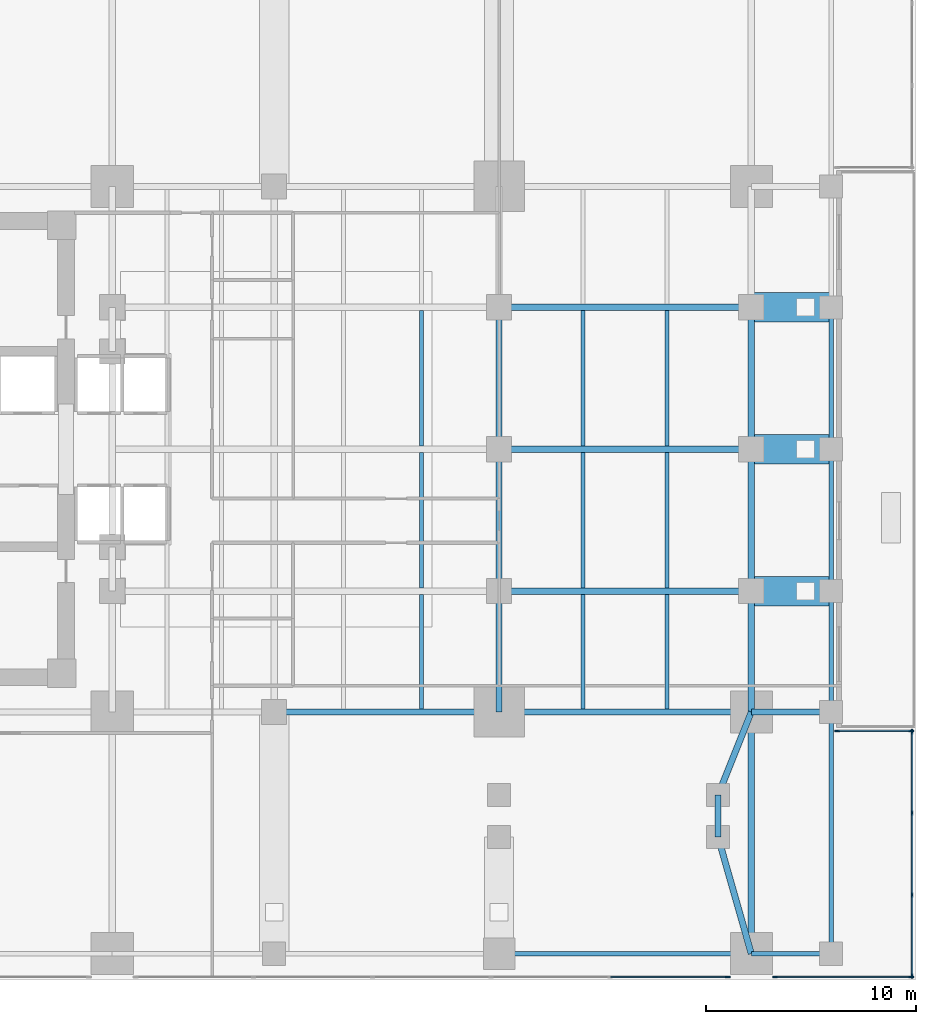
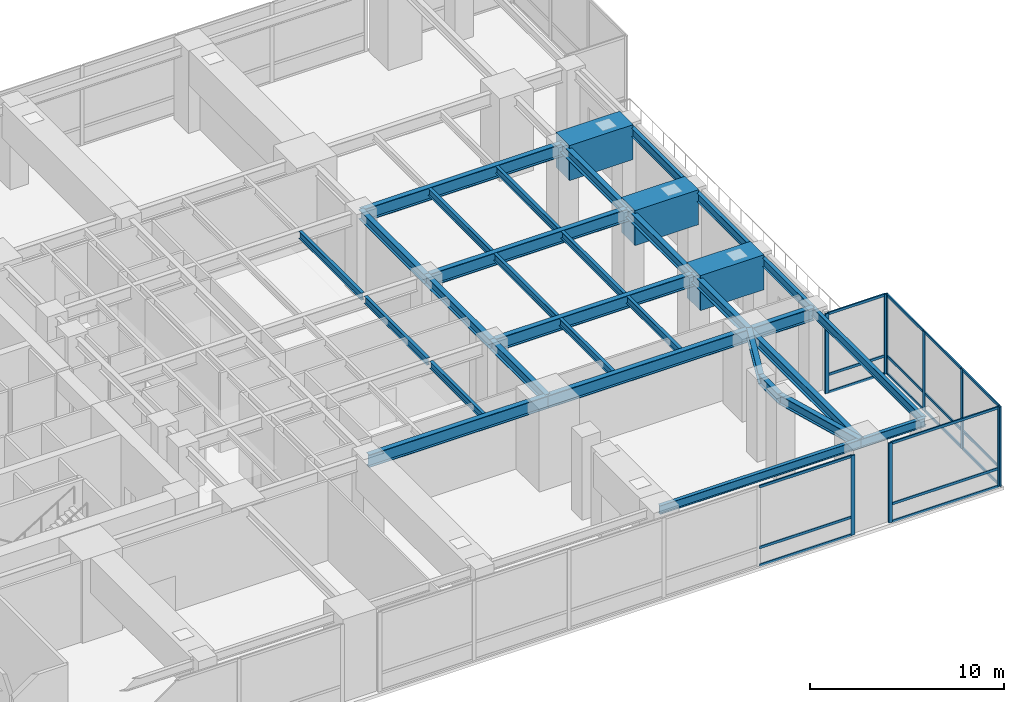
# One storey, part 4 of 14: 34 beams, 27 members, 4 elements without a shape of their own.
"""IFC4 building model written with IfcOpenShell, lengths in metres."""

from ifc_helpers import new_model, si_unit, direction, frame, origin, origin_2d, place, context, subcontext, project, spatial, rectangle, i_section, extrude, material, layer, layer_set, material_profile, profile_set, type_object, element, aggregate, save


model = new_model("IFC4")

# Units and contexts
model_context = context("Model", 3, precision=1e-05, world=origin(), true_north=direction((0.0, 1.0)))
body_context = subcontext(model_context, "Body", "Model", "MODEL_VIEW")
ifc_project = project(units=[si_unit("LENGTHUNIT", "METRE"), si_unit("AREAUNIT", "SQUARE_METRE"), si_unit("VOLUMEUNIT", "CUBIC_METRE"), si_unit("PLANEANGLEUNIT", "RADIAN"), si_unit("MASSUNIT", "GRAM", prefix="KILO")], contexts=[model_context])

# Site, building, storey
site_placement = place(None, origin())
site = spatial("IfcSite", under=ifc_project, at=site_placement, CompositionType="ELEMENT")
building_placement = place(site_placement, origin())
building = spatial("IfcBuilding", under=site, at=building_placement, Name="Kinhvarn Gate Tower", CompositionType="ELEMENT")
storey_placement = place(building_placement, frame((0.0, 0.0, 20.39990234375)))
storey = spatial("IfcBuildingStorey", under=building, at=storey_placement, Name="L04", CompositionType="ELEMENT", Elevation=20.39990234375)

# Beams
ifc_material_1 = material(Name="Concrete C60/75", Category="concrete")
ifc_material_profile_1 = material_profile(ifc_material_1, rectangle(XDim=1.39990234375, YDim=2.199951171875, at=origin_2d()), Name="RC 1400x2200")
ifc_profile_set_1 = profile_set([ifc_material_profile_1], Name="Concrete C60/75")
beam_type_1 = type_object("IfcBeamType", Name="BM-TG-2200", PredefinedType="BEAM", material=ifc_profile_set_1)
for number, where, z_axis, x_axis, name in (
    (1, (50.199951171875, 18.5, 4.10009765625), (1.0, 0.0, 0.0), (0.0, 1.0, 0.0), "Setback Transfer Girder TG-02-L05-CE-1"),
    (2, (50.199951171875, 25.25, 4.10009765625), (1.0, 0.0, 0.0), (0.0, 1.0, 0.0), "Setback Transfer Girder TG-02-L05-CE-2"),
    (3, (50.199951171875, 32.0, 4.10009765625), (1.0, 0.0, 0.0), (0.0, 1.0, 0.0), "Setback Transfer Girder TG-02-L05-CE-3"),
):
    element("IfcBeam", number, at=place(storey_placement, frame(where, z_axis=z_axis, x_axis=x_axis)), inside=storey, type_object=beam_type_1, Name=name, PredefinedType="BEAM", context=body_context, shape_type="SweptSolid", body=[
        extrude(rectangle(XDim=1.39990234375, YDim=2.199951171875, at=origin_2d()), origin(), (0.0, 0.0, 1.0), 3.800048828125),
    ])

# Curtain wall, member
ifc_material_2 = material(Name="Anodised aluminium AW-6063", Category="aluminium")
ifc_layer = layer(ifc_material_2, 0.219970703125)
ifc_layer_set = layer_set([ifc_layer], Name="Anodised aluminium AW-6063")
curtain_wall_type = type_object("IfcCurtainWallType", Name="CW-SYS-1", PredefinedType="NOTDEFINED", material=ifc_layer_set)
curtain_wall_1_placement = place(storey_placement, origin())
curtain_wall_1 = element("IfcCurtainWall", 4, at=curtain_wall_1_placement, inside=storey, type_object=curtain_wall_type, Name="Curtain Wall CW1 (L04)", PredefinedType="NOTDEFINED")
ifc_material_profile_2 = material_profile(ifc_material_2, rectangle(XDim=0.080078125, YDim=0.219970703125, at=origin_2d()), Name="ALU 80x220")
ifc_profile_set_2 = profile_set([ifc_material_profile_2], Name="Anodised aluminium AW-6063")
member_type_1 = type_object("IfcMemberType", Name="CW-MUL-220", PredefinedType="MULLION", material=ifc_profile_set_2)
member_1_placement = place(storey_placement, frame((49.080078125, 0.14990234375, 0.0), z_axis=(0.0, 0.0, 1.0), x_axis=(0.0, 1.0, 0.0)))
member_1 = element("IfcMember", 5, at=member_1_placement, type_object=member_type_1, Name="CW1 mullion 6", PredefinedType="MULLION", context=body_context, shape_type="SweptSolid", body=[
    extrude(rectangle(XDim=0.080078125, YDim=0.219970703125, at=origin_2d()), origin(), (0.0, 0.0, 1.0), 5.02001953125),
])

# Curtain wall, members
curtain_wall_2_placement = place(storey_placement, origin())
curtain_wall_2 = element("IfcCurtainWall", 6, at=curtain_wall_2_placement, inside=storey, type_object=curtain_wall_type, Name="Curtain Wall CW1 (L04)", PredefinedType="NOTDEFINED")
member_2_placement = place(storey_placement, frame((51.320068359375, 0.14990234375, 0.0), z_axis=(0.0, 0.0, 1.0), x_axis=(0.0, 1.0, 0.0)))
member_2 = element("IfcMember", 7, at=member_2_placement, type_object=member_type_1, Name="CW1 mullion 1", PredefinedType="MULLION", context=body_context, shape_type="SweptSolid", body=[
    extrude(rectangle(XDim=0.080078125, YDim=0.219970703125, at=origin_2d()), origin(), (0.0, 0.0, 1.0), 5.02001953125),
])
member_3_placement = place(storey_placement, frame((57.81005859375, 0.14990234375, 0.0), z_axis=(0.0, 0.0, 1.0), x_axis=(0.0, 1.0, 0.0)))
member_3 = element("IfcMember", 8, at=member_3_placement, type_object=member_type_1, Name="CW1 mullion 2", PredefinedType="MULLION", context=body_context, shape_type="SweptSolid", body=[
    extrude(rectangle(XDim=0.080078125, YDim=0.219970703125, at=origin_2d()), origin(), (0.0, 0.0, 1.0), 5.02001953125),
])

curtain_wall_3_placement = place(storey_placement, origin())
curtain_wall_3 = element("IfcCurtainWall", 9, at=curtain_wall_3_placement, inside=storey, type_object=curtain_wall_type, Name="Curtain Wall CW1 (L04)", PredefinedType="NOTDEFINED")
member_4_placement = place(storey_placement, frame((57.85009765625, 0.18994140625, 0.0), z_axis=(0.0, 0.0, 1.0), x_axis=(-1.0, 0.0, 0.0)))
member_4 = element("IfcMember", 10, at=member_4_placement, type_object=member_type_1, Name="CW1 mullion 1", PredefinedType="MULLION", context=body_context, shape_type="SweptSolid", body=[
    extrude(rectangle(XDim=0.080078125, YDim=0.219970703125, at=origin_2d()), origin(), (0.0, 0.0, 1.0), 5.02001953125),
])
member_5_placement = place(storey_placement, frame((57.85009765625, 4.050048828125, 0.0), z_axis=(0.0, 0.0, 1.0), x_axis=(-1.0, 0.0, 0.0)))
member_5 = element("IfcMember", 11, at=member_5_placement, type_object=member_type_1, Name="CW1 mullion 2", PredefinedType="MULLION", context=body_context, shape_type="SweptSolid", body=[
    extrude(rectangle(XDim=0.080078125, YDim=0.219970703125, at=origin_2d()), origin(), (0.0, 0.0, 1.0), 5.02001953125),
])
member_6_placement = place(storey_placement, frame((57.85009765625, 7.949951171875, 0.0), z_axis=(0.0, 0.0, 1.0), x_axis=(-1.0, 0.0, 0.0)))
member_6 = element("IfcMember", 12, at=member_6_placement, type_object=member_type_1, Name="CW1 mullion 3", PredefinedType="MULLION", context=body_context, shape_type="SweptSolid", body=[
    extrude(rectangle(XDim=0.080078125, YDim=0.219970703125, at=origin_2d()), origin(), (0.0, 0.0, 1.0), 5.02001953125),
])
member_7_placement = place(storey_placement, frame((57.85009765625, 11.81005859375, 0.0), z_axis=(0.0, 0.0, 1.0), x_axis=(-1.0, 0.0, 0.0)))
member_7 = element("IfcMember", 13, at=member_7_placement, type_object=member_type_1, Name="CW1 mullion 4", PredefinedType="MULLION", context=body_context, shape_type="SweptSolid", body=[
    extrude(rectangle(XDim=0.080078125, YDim=0.219970703125, at=origin_2d()), origin(), (0.0, 0.0, 1.0), 5.02001953125),
])

curtain_wall_4_placement = place(storey_placement, origin())
curtain_wall_4 = element("IfcCurtainWall", 14, at=curtain_wall_4_placement, inside=storey, type_object=curtain_wall_type, Name="Curtain Wall CW1 (L04)", PredefinedType="NOTDEFINED")
member_8_placement = place(storey_placement, frame((57.81005859375, 11.85009765625, 0.0), z_axis=(0.0, 0.0, 1.0), x_axis=(0.0, -1.0, 0.0)))
member_8 = element("IfcMember", 15, at=member_8_placement, type_object=member_type_1, Name="CW1 mullion 1", PredefinedType="MULLION", context=body_context, shape_type="SweptSolid", body=[
    extrude(rectangle(XDim=0.080078125, YDim=0.219970703125, at=origin_2d()), origin(), (0.0, 0.0, 1.0), 5.02001953125),
])
member_9_placement = place(storey_placement, frame((54.2900390625, 11.85009765625, 0.0), z_axis=(0.0, 0.0, 1.0), x_axis=(0.0, -1.0, 0.0)))
member_9 = element("IfcMember", 16, at=member_9_placement, type_object=member_type_1, Name="CW1 mullion 2", PredefinedType="MULLION", context=body_context, shape_type="SweptSolid", body=[
    extrude(rectangle(XDim=0.080078125, YDim=0.219970703125, at=origin_2d()), origin(), (0.0, 0.0, 1.0), 5.02001953125),
])

# Member
ifc_material_profile_3 = material_profile(ifc_material_2, rectangle(XDim=0.080078125, YDim=0.159912109375, at=origin_2d()), Name="ALU 80x160")
ifc_profile_set_3 = profile_set([ifc_material_profile_3], Name="Anodised aluminium AW-6063")
member_type_2 = type_object("IfcMemberType", Name="CW-TRN-160", PredefinedType="USERDEFINED", material=ifc_profile_set_3)
member_10_placement = place(storey_placement, frame((43.511962890625, 0.14990234375, 0.0400390625), z_axis=(1.0, 0.0, 0.0), x_axis=(0.0, 1.0, 0.0)))
member_10 = element("IfcMember", 17, at=member_10_placement, type_object=member_type_2, Name="CW1 transom 5.1", ObjectType="TRANSOM", PredefinedType="USERDEFINED", context=body_context, shape_type="SweptSolid", body=[
    extrude(rectangle(XDim=0.080078125, YDim=0.159912109375, at=origin_2d()), origin(), (0.0, 0.0, 1.0), 5.528076171875),
])

member_11_placement = place(storey_placement, frame((43.511962890625, 0.14990234375, 1.150146484375), z_axis=(1.0, 0.0, 0.0), x_axis=(0.0, 1.0, 0.0)))
member_11 = element("IfcMember", 18, at=member_11_placement, type_object=member_type_2, Name="CW1 transom 5.2", ObjectType="TRANSOM", PredefinedType="USERDEFINED", context=body_context, shape_type="SweptSolid", body=[
    extrude(rectangle(XDim=0.080078125, YDim=0.159912109375, at=origin_2d()), origin(), (0.0, 0.0, 1.0), 5.528076171875),
])

member_12_placement = place(storey_placement, frame((43.511962890625, 0.14990234375, 4.97998046875), z_axis=(1.0, 0.0, 0.0), x_axis=(0.0, 1.0, 0.0)))
member_12 = element("IfcMember", 19, at=member_12_placement, type_object=member_type_2, Name="CW1 transom 5.3", ObjectType="TRANSOM", PredefinedType="USERDEFINED", context=body_context, shape_type="SweptSolid", body=[
    extrude(rectangle(XDim=0.080078125, YDim=0.159912109375, at=origin_2d()), origin(), (0.0, 0.0, 1.0), 5.528076171875),
])

aggregate(curtain_wall_1, [member_1, member_10, member_11, member_12])

member_13_placement = place(storey_placement, frame((51.360107421875, 0.14990234375, 0.0400390625), z_axis=(1.0, 0.0, 0.0), x_axis=(0.0, 1.0, 0.0)))
member_13 = element("IfcMember", 20, at=member_13_placement, type_object=member_type_2, Name="CW1 transom 1.1", ObjectType="TRANSOM", PredefinedType="USERDEFINED", context=body_context, shape_type="SweptSolid", body=[
    extrude(rectangle(XDim=0.080078125, YDim=0.159912109375, at=origin_2d()), origin(), (0.0, 0.0, 1.0), 6.409912109375),
])

member_14_placement = place(storey_placement, frame((51.360107421875, 0.14990234375, 1.150146484375), z_axis=(1.0, 0.0, 0.0), x_axis=(0.0, 1.0, 0.0)))
member_14 = element("IfcMember", 21, at=member_14_placement, type_object=member_type_2, Name="CW1 transom 1.2", ObjectType="TRANSOM", PredefinedType="USERDEFINED", context=body_context, shape_type="SweptSolid", body=[
    extrude(rectangle(XDim=0.080078125, YDim=0.159912109375, at=origin_2d()), origin(), (0.0, 0.0, 1.0), 6.409912109375),
])

member_15_placement = place(storey_placement, frame((51.360107421875, 0.14990234375, 4.97998046875), z_axis=(1.0, 0.0, 0.0), x_axis=(0.0, 1.0, 0.0)))
member_15 = element("IfcMember", 22, at=member_15_placement, type_object=member_type_2, Name="CW1 transom 1.3", ObjectType="TRANSOM", PredefinedType="USERDEFINED", context=body_context, shape_type="SweptSolid", body=[
    extrude(rectangle(XDim=0.080078125, YDim=0.159912109375, at=origin_2d()), origin(), (0.0, 0.0, 1.0), 6.409912109375),
])

aggregate(curtain_wall_2, [member_2, member_3, member_13, member_14, member_15])

member_16_placement = place(storey_placement, frame((57.85009765625, 0.22998046875, 0.0400390625), z_axis=(0.0, 1.0, 0.0), x_axis=(-1.0, 0.0, 0.0)))
member_16 = element("IfcMember", 23, at=member_16_placement, type_object=member_type_2, Name="CW1 transom 1.1", ObjectType="TRANSOM", PredefinedType="USERDEFINED", context=body_context, shape_type="SweptSolid", body=[
    extrude(rectangle(XDim=0.080078125, YDim=0.159912109375, at=origin_2d()), origin(), (0.0, 0.0, 1.0), 3.780029296875),
])

member_17_placement = place(storey_placement, frame((57.85009765625, 0.22998046875, 1.150146484375), z_axis=(0.0, 1.0, 0.0), x_axis=(-1.0, 0.0, 0.0)))
member_17 = element("IfcMember", 24, at=member_17_placement, type_object=member_type_2, Name="CW1 transom 1.2", ObjectType="TRANSOM", PredefinedType="USERDEFINED", context=body_context, shape_type="SweptSolid", body=[
    extrude(rectangle(XDim=0.080078125, YDim=0.159912109375, at=origin_2d()), origin(), (0.0, 0.0, 1.0), 3.780029296875),
])

member_18_placement = place(storey_placement, frame((57.85009765625, 0.22998046875, 4.97998046875), z_axis=(0.0, 1.0, 0.0), x_axis=(-1.0, 0.0, 0.0)))
member_18 = element("IfcMember", 25, at=member_18_placement, type_object=member_type_2, Name="CW1 transom 1.3", ObjectType="TRANSOM", PredefinedType="USERDEFINED", context=body_context, shape_type="SweptSolid", body=[
    extrude(rectangle(XDim=0.080078125, YDim=0.159912109375, at=origin_2d()), origin(), (0.0, 0.0, 1.0), 3.780029296875),
])

member_19_placement = place(storey_placement, frame((57.85009765625, 4.090087890625, 0.0400390625), z_axis=(0.0, 1.0, 0.0), x_axis=(-1.0, 0.0, 0.0)))
member_19 = element("IfcMember", 26, at=member_19_placement, type_object=member_type_2, Name="CW1 transom 2.1", ObjectType="TRANSOM", PredefinedType="USERDEFINED", context=body_context, shape_type="SweptSolid", body=[
    extrude(rectangle(XDim=0.080078125, YDim=0.159912109375, at=origin_2d()), origin(), (0.0, 0.0, 1.0), 3.81982421875),
])

member_20_placement = place(storey_placement, frame((57.85009765625, 4.090087890625, 1.150146484375), z_axis=(0.0, 1.0, 0.0), x_axis=(-1.0, 0.0, 0.0)))
member_20 = element("IfcMember", 27, at=member_20_placement, type_object=member_type_2, Name="CW1 transom 2.2", ObjectType="TRANSOM", PredefinedType="USERDEFINED", context=body_context, shape_type="SweptSolid", body=[
    extrude(rectangle(XDim=0.080078125, YDim=0.159912109375, at=origin_2d()), origin(), (0.0, 0.0, 1.0), 3.81982421875),
])

member_21_placement = place(storey_placement, frame((57.85009765625, 4.090087890625, 4.97998046875), z_axis=(0.0, 1.0, 0.0), x_axis=(-1.0, 0.0, 0.0)))
member_21 = element("IfcMember", 28, at=member_21_placement, type_object=member_type_2, Name="CW1 transom 2.3", ObjectType="TRANSOM", PredefinedType="USERDEFINED", context=body_context, shape_type="SweptSolid", body=[
    extrude(rectangle(XDim=0.080078125, YDim=0.159912109375, at=origin_2d()), origin(), (0.0, 0.0, 1.0), 3.81982421875),
])

member_22_placement = place(storey_placement, frame((57.85009765625, 7.989990234375, 0.0400390625), z_axis=(0.0, 1.0, 0.0), x_axis=(-1.0, 0.0, 0.0)))
member_22 = element("IfcMember", 29, at=member_22_placement, type_object=member_type_2, Name="CW1 transom 3.1", ObjectType="TRANSOM", PredefinedType="USERDEFINED", context=body_context, shape_type="SweptSolid", body=[
    extrude(rectangle(XDim=0.080078125, YDim=0.159912109375, at=origin_2d()), origin(), (0.0, 0.0, 1.0), 3.780029296875),
])

member_23_placement = place(storey_placement, frame((57.85009765625, 7.989990234375, 1.150146484375), z_axis=(0.0, 1.0, 0.0), x_axis=(-1.0, 0.0, 0.0)))
member_23 = element("IfcMember", 30, at=member_23_placement, type_object=member_type_2, Name="CW1 transom 3.2", ObjectType="TRANSOM", PredefinedType="USERDEFINED", context=body_context, shape_type="SweptSolid", body=[
    extrude(rectangle(XDim=0.080078125, YDim=0.159912109375, at=origin_2d()), origin(), (0.0, 0.0, 1.0), 3.780029296875),
])

member_24_placement = place(storey_placement, frame((57.85009765625, 7.989990234375, 4.97998046875), z_axis=(0.0, 1.0, 0.0), x_axis=(-1.0, 0.0, 0.0)))
member_24 = element("IfcMember", 31, at=member_24_placement, type_object=member_type_2, Name="CW1 transom 3.3", ObjectType="TRANSOM", PredefinedType="USERDEFINED", context=body_context, shape_type="SweptSolid", body=[
    extrude(rectangle(XDim=0.080078125, YDim=0.159912109375, at=origin_2d()), origin(), (0.0, 0.0, 1.0), 3.780029296875),
])

aggregate(curtain_wall_3, [member_4, member_5, member_6, member_7, member_16, member_17, member_18, member_19, member_20, member_21, member_22, member_23, member_24])

member_25_placement = place(storey_placement, frame((57.77001953125, 11.85009765625, 0.0400390625), z_axis=(-1.0, 0.0, 0.0), x_axis=(0.0, -1.0, 0.0)))
member_25 = element("IfcMember", 32, at=member_25_placement, type_object=member_type_2, Name="CW1 transom 1.1", ObjectType="TRANSOM", PredefinedType="USERDEFINED", context=body_context, shape_type="SweptSolid", body=[
    extrude(rectangle(XDim=0.080078125, YDim=0.159912109375, at=origin_2d()), origin(), (0.0, 0.0, 1.0), 3.43994140625),
])

member_26_placement = place(storey_placement, frame((57.77001953125, 11.85009765625, 1.150146484375), z_axis=(-1.0, 0.0, 0.0), x_axis=(0.0, -1.0, 0.0)))
member_26 = element("IfcMember", 33, at=member_26_placement, type_object=member_type_2, Name="CW1 transom 1.2", ObjectType="TRANSOM", PredefinedType="USERDEFINED", context=body_context, shape_type="SweptSolid", body=[
    extrude(rectangle(XDim=0.080078125, YDim=0.159912109375, at=origin_2d()), origin(), (0.0, 0.0, 1.0), 3.43994140625),
])

member_27_placement = place(storey_placement, frame((57.77001953125, 11.85009765625, 4.97998046875), z_axis=(-1.0, 0.0, 0.0), x_axis=(0.0, -1.0, 0.0)))
member_27 = element("IfcMember", 34, at=member_27_placement, type_object=member_type_2, Name="CW1 transom 1.3", ObjectType="TRANSOM", PredefinedType="USERDEFINED", context=body_context, shape_type="SweptSolid", body=[
    extrude(rectangle(XDim=0.080078125, YDim=0.159912109375, at=origin_2d()), origin(), (0.0, 0.0, 1.0), 3.43994140625),
])

aggregate(curtain_wall_4, [member_8, member_9, member_25, member_26, member_27])

# Beams
ifc_material_3 = material(Name="Steel S355", Category="steel")
ifc_material_profile_4 = material_profile(ifc_material_3, i_section(OverallWidth=0.300048828125, OverallDepth=0.60009765625, WebThickness=0.015380859375, FlangeThickness=0.030029296875, at=origin_2d()), Name="HEB 600")
ifc_profile_set_4 = profile_set([ifc_material_profile_4], Name="Steel S355")
beam_type_2 = type_object("IfcBeamType", Name="STL-HEB600", PredefinedType="BEAM", material=ifc_profile_set_4)
beam_1_placement = place(storey_placement, frame((48.6201171875, 6.800048828125, 4.72021484375), z_axis=(0.273776643474, -0.961793298733, 0.0), x_axis=(0.961793298733, 0.273776643474, 0.0)))
element("IfcBeam", 35, at=beam_1_placement, inside=storey, type_object=beam_type_2, Name="Floor Beam PG-16 (L04 TIE-SE1-AP)", PredefinedType="BEAM", context=body_context, shape_type="SweptSolid", body=[
    extrude(i_section(OverallWidth=0.300048828125, OverallDepth=0.60009765625, WebThickness=0.015380859375, FlangeThickness=0.030029296875, at=origin_2d()), origin(), (0.0, 0.0, 1.0), 5.7705078125),
])
beam_2_placement = place(storey_placement, frame((48.6201171875, 6.800048828125, 4.72021484375), z_axis=(0.0, 1.0, 0.0), x_axis=(-1.0, 0.0, 0.0)))
element("IfcBeam", 36, at=beam_2_placement, inside=storey, type_object=beam_type_2, Name="Floor Beam PG-16 (L04 TIE-SE1-M)", PredefinedType="BEAM", context=body_context, shape_type="SweptSolid", body=[
    extrude(i_section(OverallWidth=0.300048828125, OverallDepth=0.60009765625, WebThickness=0.015380859375, FlangeThickness=0.030029296875, at=origin_2d()), origin(), (0.0, 0.0, 1.0), 2.0),
])
beam_3_placement = place(storey_placement, frame((48.6201171875, 8.800048828125, 4.72021484375), z_axis=(0.371360992457, 0.928488563894, 0.0), x_axis=(-0.928488563894, 0.371360992457, 0.0)))
element("IfcBeam", 37, at=beam_3_placement, inside=storey, type_object=beam_type_2, Name="Floor Beam PG-16 (L04 TIE-SE1-N)", PredefinedType="BEAM", context=body_context, shape_type="SweptSolid", body=[
    extrude(i_section(OverallWidth=0.300048828125, OverallDepth=0.60009765625, WebThickness=0.015380859375, FlangeThickness=0.030029296875, at=origin_2d()), origin(), (0.0, 0.0, 1.0), 4.254150390625),
])
beam_4_placement = place(storey_placement, frame((50.199951171875, 1.25, 4.72021484375), z_axis=(0.0, 1.0, 0.0), x_axis=(-1.0, 0.0, 0.0)))
element("IfcBeam", 38, at=beam_4_placement, inside=storey, type_object=beam_type_2, Name="Floor Beam PG-16 (L04 APE-1)", PredefinedType="BEAM", context=body_context, shape_type="SweptSolid", body=[
    extrude(i_section(OverallWidth=0.300048828125, OverallDepth=0.60009765625, WebThickness=0.015380859375, FlangeThickness=0.030029296875, at=origin_2d()), origin(), (0.0, 0.0, 1.0), 11.5),
])
beam_5_placement = place(storey_placement, frame((50.199951171875, 12.75, 4.72021484375), z_axis=(0.0, 1.0, 0.0), x_axis=(-1.0, 0.0, 0.0)))
element("IfcBeam", 39, at=beam_5_placement, inside=storey, type_object=beam_type_2, Name="Floor Beam PG-16 (L04 APE-2)", PredefinedType="BEAM", context=body_context, shape_type="SweptSolid", body=[
    extrude(i_section(OverallWidth=0.300048828125, OverallDepth=0.60009765625, WebThickness=0.015380859375, FlangeThickness=0.030029296875, at=origin_2d()), origin(), (0.0, 0.0, 1.0), 5.75),
])
for number, where, z_axis, x_axis, name in (
    (40, (50.199951171875, 18.5, 4.72021484375), (0.0, 1.0, 0.0), (-1.0, 0.0, 0.0), "Floor Beam PG-16 (L04 APE-3)"),
    (41, (50.199951171875, 25.25, 4.72021484375), (0.0, 1.0, 0.0), (-1.0, 0.0, 0.0), "Floor Beam PG-16 (L04 APE-4)"),
):
    element("IfcBeam", number, at=place(storey_placement, frame(where, z_axis=z_axis, x_axis=x_axis)), inside=storey, type_object=beam_type_2, Name=name, PredefinedType="BEAM", context=body_context, shape_type="SweptSolid", body=[
        extrude(i_section(OverallWidth=0.300048828125, OverallDepth=0.60009765625, WebThickness=0.015380859375, FlangeThickness=0.030029296875, at=origin_2d()), origin(), (0.0, 0.0, 1.0), 6.75),
    ])
beam_6_placement = place(storey_placement, frame((38.199951171875, 12.75, 4.72021484375), z_axis=(0.0, 1.0, 0.0), x_axis=(-1.0, 0.0, 0.0)))
element("IfcBeam", 42, at=beam_6_placement, inside=storey, type_object=beam_type_2, Name="Floor Beam PG-16 (L04 NS38-12)", PredefinedType="BEAM", context=body_context, shape_type="SweptSolid", body=[
    extrude(i_section(OverallWidth=0.300048828125, OverallDepth=0.60009765625, WebThickness=0.015380859375, FlangeThickness=0.030029296875, at=origin_2d()), origin(), (0.0, 0.0, 1.0), 5.75),
])
for number, where, z_axis, x_axis, name in (
    (43, (38.199951171875, 18.5, 4.72021484375), (0.0, 1.0, 0.0), (-1.0, 0.0, 0.0), "Floor Beam PG-16 (L04 NS38-18)"),
    (44, (38.199951171875, 25.25, 4.72021484375), (0.0, 1.0, 0.0), (-1.0, 0.0, 0.0), "Floor Beam PG-16 (L04 NS38-25)"),
):
    element("IfcBeam", number, at=place(storey_placement, frame(where, z_axis=z_axis, x_axis=x_axis)), inside=storey, type_object=beam_type_2, Name=name, PredefinedType="BEAM", context=body_context, shape_type="SweptSolid", body=[
        extrude(i_section(OverallWidth=0.300048828125, OverallDepth=0.60009765625, WebThickness=0.015380859375, FlangeThickness=0.030029296875, at=origin_2d()), origin(), (0.0, 0.0, 1.0), 6.75),
    ])
ifc_material_profile_5 = material_profile(ifc_material_3, i_section(OverallWidth=0.300048828125, OverallDepth=0.800048828125, WebThickness=0.017578125, FlangeThickness=0.032958984375, at=origin_2d()), Name="HEB 800")
ifc_profile_set_5 = profile_set([ifc_material_profile_5], Name="Steel S355")
beam_type_3 = type_object("IfcBeamType", Name="STL-HEB800", PredefinedType="BEAM", material=ifc_profile_set_5)
beam_7_placement = place(storey_placement, frame((50.199951171875, 12.75, 4.6201171875), z_axis=(1.0, 0.0, 0.0), x_axis=(0.0, 1.0, 0.0)))
element("IfcBeam", 45, at=beam_7_placement, inside=storey, type_object=beam_type_3, Name="Floor Beam PG-19 (L04 SPS-E)", PredefinedType="BEAM", context=body_context, shape_type="SweptSolid", body=[
    extrude(i_section(OverallWidth=0.300048828125, OverallDepth=0.800048828125, WebThickness=0.017578125, FlangeThickness=0.032958984375, at=origin_2d()), origin(), (0.0, 0.0, 1.0), 3.800048828125),
])
beam_8_placement = place(storey_placement, frame((27.5, 12.75, 4.6201171875), z_axis=(1.0, 0.0, 0.0), x_axis=(0.0, 1.0, 0.0)))
element("IfcBeam", 46, at=beam_8_placement, inside=storey, type_object=beam_type_3, Name="Floor Beam PG-19 (L04 BM-S2)", PredefinedType="BEAM", context=body_context, shape_type="SweptSolid", body=[
    extrude(i_section(OverallWidth=0.300048828125, OverallDepth=0.800048828125, WebThickness=0.017578125, FlangeThickness=0.032958984375, at=origin_2d()), origin(), (0.0, 0.0, 1.0), 10.699951171875),
])
for number, where, z_axis, x_axis, name in (
    (47, (38.199951171875, 12.75, 4.6201171875), (1.0, 0.0, 0.0), (0.0, 1.0, 0.0), "Floor Beam PG-19 (L04 BM-S3)"),
    (48, (38.199951171875, 18.5, 4.6201171875), (1.0, 0.0, 0.0), (0.0, 1.0, 0.0), "Floor Beam PG-19 (L04 BM-EW2-18)"),
    (49, (38.199951171875, 25.25, 4.6201171875), (1.0, 0.0, 0.0), (0.0, 1.0, 0.0), "Floor Beam PG-19 (L04 BM-EW2-25)"),
    (50, (38.199951171875, 32.0, 4.6201171875), (1.0, 0.0, 0.0), (0.0, 1.0, 0.0), "Floor Beam PG-19 (L04 BM-EW2-32)"),
):
    element("IfcBeam", number, at=place(storey_placement, frame(where, z_axis=z_axis, x_axis=x_axis)), inside=storey, type_object=beam_type_3, Name=name, PredefinedType="BEAM", context=body_context, shape_type="SweptSolid", body=[
        extrude(i_section(OverallWidth=0.300048828125, OverallDepth=0.800048828125, WebThickness=0.017578125, FlangeThickness=0.032958984375, at=origin_2d()), origin(), (0.0, 0.0, 1.0), 12.0),
    ])
ifc_material_profile_6 = material_profile(ifc_material_3, i_section(OverallWidth=0.18994140625, OverallDepth=0.449951171875, WebThickness=0.009521484375, FlangeThickness=0.0146484375, at=origin_2d()), Name="IPE 450")
ifc_profile_set_6 = profile_set([ifc_material_profile_6], Name="Steel S355")
beam_type_4 = type_object("IfcBeamType", Name="STL-IPE450", PredefinedType="JOIST", material=ifc_profile_set_6)
for number, where, z_axis, x_axis, name in (
    (51, (34.5, 12.89990234375, 4.795166015625), (0.0, 1.0, 0.0), (-1.0, 0.0, 0.0), "Floor Joist SB-06 (L04 J345-12)"),
    (52, (42.199951171875, 12.89990234375, 4.795166015625), (0.0, 1.0, 0.0), (-1.0, 0.0, 0.0), "Floor Joist SB-06 (L04 J422-12)"),
    (53, (46.199951171875, 12.89990234375, 4.795166015625), (0.0, 1.0, 0.0), (-1.0, 0.0, 0.0), "Floor Joist SB-06 (L04 J462-12)"),
):
    element("IfcBeam", number, at=place(storey_placement, frame(where, z_axis=z_axis, x_axis=x_axis)), inside=storey, type_object=beam_type_4, Name=name, PredefinedType="JOIST", context=body_context, shape_type="SweptSolid", body=[
        extrude(i_section(OverallWidth=0.18994140625, OverallDepth=0.449951171875, WebThickness=0.009521484375, FlangeThickness=0.0146484375, at=origin_2d()), origin(), (0.0, 0.0, 1.0), 5.4501953125),
    ])
for number, where, z_axis, x_axis, name in (
    (54, (34.5, 18.64990234375, 4.795166015625), (0.0, 1.0, 0.0), (-1.0, 0.0, 0.0), "Floor Joist SB-06 (L04 J345-18)"),
    (55, (42.199951171875, 18.64990234375, 4.795166015625), (0.0, 1.0, 0.0), (-1.0, 0.0, 0.0), "Floor Joist SB-06 (L04 J422-18)"),
    (56, (46.199951171875, 18.64990234375, 4.795166015625), (0.0, 1.0, 0.0), (-1.0, 0.0, 0.0), "Floor Joist SB-06 (L04 J462-18)"),
    (57, (34.5, 25.39990234375, 4.795166015625), (0.0, 1.0, 0.0), (-1.0, 0.0, 0.0), "Floor Joist SB-06 (L04 J345-25)"),
    (58, (42.199951171875, 25.39990234375, 4.795166015625), (0.0, 1.0, 0.0), (-1.0, 0.0, 0.0), "Floor Joist SB-06 (L04 J422-25)"),
    (59, (46.199951171875, 25.39990234375, 4.795166015625), (0.0, 1.0, 0.0), (-1.0, 0.0, 0.0), "Floor Joist SB-06 (L04 J462-25)"),
):
    element("IfcBeam", number, at=place(storey_placement, frame(where, z_axis=z_axis, x_axis=x_axis)), inside=storey, type_object=beam_type_4, Name=name, PredefinedType="JOIST", context=body_context, shape_type="SweptSolid", body=[
        extrude(i_section(OverallWidth=0.18994140625, OverallDepth=0.449951171875, WebThickness=0.009521484375, FlangeThickness=0.0146484375, at=origin_2d()), origin(), (0.0, 0.0, 1.0), 6.4501953125),
    ])
ifc_material_profile_7 = material_profile(ifc_material_3, i_section(OverallWidth=0.2099609375, OverallDepth=0.550048828125, WebThickness=0.010986328125, FlangeThickness=0.01708984375, at=origin_2d()), Name="IPE 550")
ifc_profile_set_7 = profile_set([ifc_material_profile_7], Name="Steel S355")
beam_type_5 = type_object("IfcBeamType", Name="STL-IPE550", PredefinedType="SPANDREL", material=ifc_profile_set_7)
beam_9_placement = place(storey_placement, frame((54.0, 1.25, 4.7451171875), z_axis=(0.0, 1.0, 0.0), x_axis=(-1.0, 0.0, 0.0)))
element("IfcBeam", 60, at=beam_9_placement, inside=storey, type_object=beam_type_5, Name="Floor Spandrel SB-08 (L04 PERE-1)", PredefinedType="SPANDREL", context=body_context, shape_type="SweptSolid", body=[
    extrude(i_section(OverallWidth=0.2099609375, OverallDepth=0.550048828125, WebThickness=0.010986328125, FlangeThickness=0.01708984375, at=origin_2d()), origin(), (0.0, 0.0, 1.0), 11.5),
])
beam_10_placement = place(storey_placement, frame((54.0, 12.75, 4.7451171875), z_axis=(0.0, 1.0, 0.0), x_axis=(-1.0, 0.0, 0.0)))
element("IfcBeam", 61, at=beam_10_placement, inside=storey, type_object=beam_type_5, Name="Floor Spandrel SB-08 (L04 PERE-2)", PredefinedType="SPANDREL", context=body_context, shape_type="SweptSolid", body=[
    extrude(i_section(OverallWidth=0.2099609375, OverallDepth=0.550048828125, WebThickness=0.010986328125, FlangeThickness=0.01708984375, at=origin_2d()), origin(), (0.0, 0.0, 1.0), 5.75),
])
for number, where, z_axis, x_axis, name in (
    (62, (54.0, 18.5, 4.7451171875), (0.0, 1.0, 0.0), (-1.0, 0.0, 0.0), "Floor Spandrel SB-08 (L04 PERE-3)"),
    (63, (54.0, 25.25, 4.7451171875), (0.0, 1.0, 0.0), (-1.0, 0.0, 0.0), "Floor Spandrel SB-08 (L04 PERE-4)"),
):
    element("IfcBeam", number, at=place(storey_placement, frame(where, z_axis=z_axis, x_axis=x_axis)), inside=storey, type_object=beam_type_5, Name=name, PredefinedType="SPANDREL", context=body_context, shape_type="SweptSolid", body=[
        extrude(i_section(OverallWidth=0.2099609375, OverallDepth=0.550048828125, WebThickness=0.010986328125, FlangeThickness=0.01708984375, at=origin_2d()), origin(), (0.0, 0.0, 1.0), 6.75),
    ])
beam_11_placement = place(storey_placement, frame((50.199951171875, 1.25, 4.7451171875), z_axis=(1.0, 0.0, 0.0), x_axis=(0.0, 1.0, 0.0)))
element("IfcBeam", 64, at=beam_11_placement, inside=storey, type_object=beam_type_5, Name="Floor Spandrel SB-08 (L04 SP-POD-SE)", PredefinedType="SPANDREL", context=body_context, shape_type="SweptSolid", body=[
    extrude(i_section(OverallWidth=0.2099609375, OverallDepth=0.550048828125, WebThickness=0.010986328125, FlangeThickness=0.01708984375, at=origin_2d()), origin(), (0.0, 0.0, 1.0), 3.800048828125),
])
beam_12_placement = place(storey_placement, frame((38.199951171875, 1.25, 4.7451171875), z_axis=(1.0, 0.0, 0.0), x_axis=(0.0, 1.0, 0.0)))
element("IfcBeam", 65, at=beam_12_placement, inside=storey, type_object=beam_type_5, Name="Floor Spandrel SB-08 (L04 BS-SP3)", PredefinedType="SPANDREL", context=body_context, shape_type="SweptSolid", body=[
    extrude(i_section(OverallWidth=0.2099609375, OverallDepth=0.550048828125, WebThickness=0.010986328125, FlangeThickness=0.01708984375, at=origin_2d()), origin(), (0.0, 0.0, 1.0), 12.0),
])

save(model, "model.ifc")
